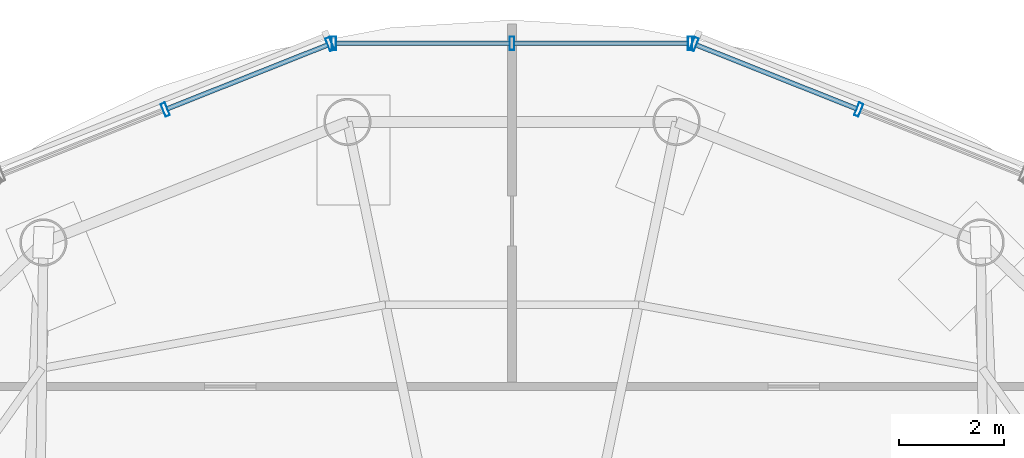
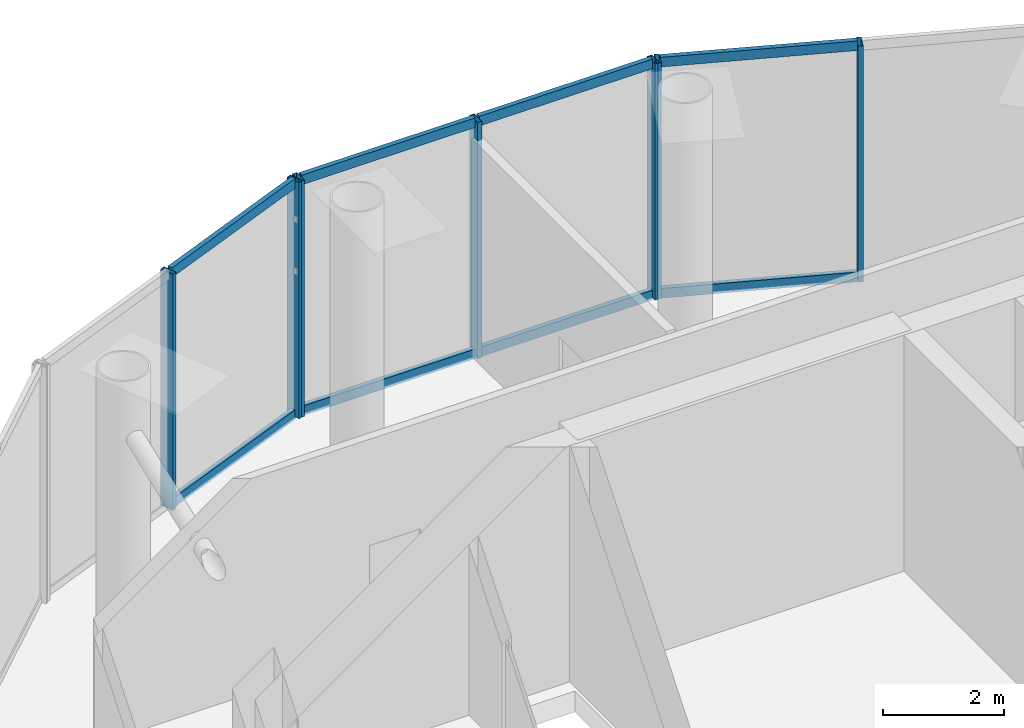
# One storey, part 10 of 15: 15 members, 3 elements without a shape of their own.
"""IFC4 building model written with IfcOpenShell, lengths in metres."""

from ifc_helpers import new_model, si_unit, direction, frame, origin, origin_2d, place, context, subcontext, project, spatial, hollow_rectangle, extrude, source, transform, mapped, material, material_profile, profile_set, type_object, element, aggregate, save


model = new_model("IFC4")

# Units and contexts
model_context = context("Model", 3, precision=1e-05, world=origin(), true_north=direction((-0.2419218956, 0.970295726276)))
body_context = subcontext(model_context, "Body", "Model", "MODEL_VIEW")
ifc_project = project(units=[si_unit("LENGTHUNIT", "METRE"), si_unit("AREAUNIT", "SQUARE_METRE"), si_unit("VOLUMEUNIT", "CUBIC_METRE"), si_unit("PLANEANGLEUNIT", "RADIAN"), si_unit("MASSUNIT", "GRAM", prefix="KILO")], contexts=[model_context])

# Site, building, storey
site_placement = place(None, origin())
site = spatial("IfcSite", under=ifc_project, at=site_placement, CompositionType="ELEMENT")
building_placement = place(site_placement, origin())
building = spatial("IfcBuilding", under=site, at=building_placement, Name="Cobrevalo Terracotta Tower", CompositionType="ELEMENT")
storey_placement = place(building_placement, frame((0.0, 0.0, 316.5)))
storey = spatial("IfcBuildingStorey", under=building, at=storey_placement, Name="L82", CompositionType="ELEMENT", Elevation=316.5)

# Curtain wall, members
ifc_material = material(Name="Anodized aluminium", Category="aluminium")
curtain_wall_type = type_object("IfcCurtainWallType", Name="Faceted glass-point crown structural glazing system CW-CR", PredefinedType="NOTDEFINED", material=ifc_material)
curtain_wall_1_placement = place(storey_placement, origin())
curtain_wall_1 = element("IfcCurtainWall", 1, at=curtain_wall_1_placement, inside=storey, type_object=curtain_wall_type, Name="L82 curtain wall CW-CRN-L82-S03", PredefinedType="NOTDEFINED")
ifc_material_profile_1 = material_profile(ifc_material, hollow_rectangle(XDim=0.090087890625, YDim=0.195068359375, WallThickness=0.005615234375, at=origin_2d()), Name="CWT 90x195")
ifc_profile_set_1 = profile_set([ifc_material_profile_1], Name="Anodized aluminium")
member_type_1 = type_object("IfcMemberType", Name="Crown structural aluminium transom 90x195", PredefinedType="USERDEFINED", material=ifc_profile_set_1)
shared_shape_1 = source(origin(), body_context, "Body", "SweptSolid", [
    extrude(hollow_rectangle(XDim=0.090087890625, YDim=0.195068359375, WallThickness=0.005615234375, at=origin_2d()), origin(), (0.0, 0.0, 1.0), 3.2998046875),
])
member_1_placement = place(storey_placement, frame((44.579833984375, 42.155517578125, 0.050048828125), z_axis=(-0.92917915641, 0.369629673177, 0.0), x_axis=(-0.369629673177, -0.92917915641, 0.0)))
member_1 = element("IfcMember", 2, at=member_1_placement, type_object=member_type_1, Name="CW-CRN-L82-S03 transom B02-T1", ObjectType="TRANSOM", PredefinedType="USERDEFINED", context=body_context, shape_type="MappedRepresentation", body=[
    mapped(shared_shape_1, transform((0.0, 0.0, 0.0), scale=1.0)),
])
member_2_placement = place(storey_placement, frame((44.579833984375, 42.155517578125, 4.72998046875), z_axis=(-0.92917915641, 0.369629673177, 0.0), x_axis=(-0.369629673177, -0.92917915641, 0.0)))
member_2 = element("IfcMember", 3, at=member_2_placement, type_object=member_type_1, Name="CW-CRN-L82-S03 transom B02-T2", ObjectType="TRANSOM", PredefinedType="USERDEFINED", context=body_context, shape_type="MappedRepresentation", body=[
    mapped(shared_shape_1, transform((0.0, 0.0, 0.0), scale=1.0)),
])

curtain_wall_2_placement = place(storey_placement, origin())
curtain_wall_2 = element("IfcCurtainWall", 4, at=curtain_wall_2_placement, inside=storey, type_object=curtain_wall_type, Name="L82 curtain wall CW-CRN-L82-S05", PredefinedType="NOTDEFINED")
member_3_placement = place(storey_placement, frame((34.486328125, 43.375244140625, 0.050048828125), z_axis=(-0.92917915641, -0.369629673177, 0.0), x_axis=(0.369629673177, -0.92917915641, 0.0)))
member_3 = element("IfcMember", 5, at=member_3_placement, type_object=member_type_1, Name="CW-CRN-L82-S05 transom B01-T1", ObjectType="TRANSOM", PredefinedType="USERDEFINED", context=body_context, shape_type="MappedRepresentation", body=[
    mapped(shared_shape_1, transform((0.0, 0.0, 0.0), scale=1.0)),
])
member_4_placement = place(storey_placement, frame((34.486328125, 43.375244140625, 4.72998046875), z_axis=(-0.92917915641, -0.369629673177, 0.0), x_axis=(0.369629673177, -0.92917915641, 0.0)))
member_4 = element("IfcMember", 6, at=member_4_placement, type_object=member_type_1, Name="CW-CRN-L82-S05 transom B01-T2", ObjectType="TRANSOM", PredefinedType="USERDEFINED", context=body_context, shape_type="MappedRepresentation", body=[
    mapped(shared_shape_1, transform((0.0, 0.0, 0.0), scale=1.0)),
])

curtain_wall_3_placement = place(storey_placement, origin())
curtain_wall_3 = element("IfcCurtainWall", 7, at=curtain_wall_3_placement, inside=storey, type_object=curtain_wall_type, Name="L82 curtain wall CW-CRN-L82-S04", PredefinedType="NOTDEFINED")
shared_shape_2 = source(origin(), body_context, "Body", "SweptSolid", [
    extrude(hollow_rectangle(XDim=0.090087890625, YDim=0.195068359375, WallThickness=0.005615234375, at=origin_2d()), origin(), (0.0, 0.0, 1.0), 3.3193359375),
])
member_5_placement = place(storey_placement, frame((41.359375, 43.40478515625, 0.050048828125), z_axis=(-1.0, 0.0, 0.0), x_axis=(0.0, -1.0, 0.0)))
member_5 = element("IfcMember", 8, at=member_5_placement, type_object=member_type_1, Name="CW-CRN-L82-S04 transom B01-T1", ObjectType="TRANSOM", PredefinedType="USERDEFINED", context=body_context, shape_type="MappedRepresentation", body=[
    mapped(shared_shape_2, transform((0.0, 0.0, 0.0), scale=1.0)),
])
member_6_placement = place(storey_placement, frame((41.359375, 43.40478515625, 4.72998046875), z_axis=(-1.0, 0.0, 0.0), x_axis=(0.0, -1.0, 0.0)))
member_6 = element("IfcMember", 9, at=member_6_placement, type_object=member_type_1, Name="CW-CRN-L82-S04 transom B01-T2", ObjectType="TRANSOM", PredefinedType="USERDEFINED", context=body_context, shape_type="MappedRepresentation", body=[
    mapped(shared_shape_2, transform((0.0, 0.0, 0.0), scale=1.0)),
])
member_7_placement = place(storey_placement, frame((37.9599609375, 43.40478515625, 0.050048828125), z_axis=(-1.0, 0.0, 0.0), x_axis=(0.0, -1.0, 0.0)))
member_7 = element("IfcMember", 10, at=member_7_placement, type_object=member_type_1, Name="CW-CRN-L82-S04 transom B02-T1", ObjectType="TRANSOM", PredefinedType="USERDEFINED", context=body_context, shape_type="MappedRepresentation", body=[
    mapped(shared_shape_2, transform((0.0, 0.0, 0.0), scale=1.0)),
])
member_8_placement = place(storey_placement, frame((37.9599609375, 43.40478515625, 4.72998046875), z_axis=(-1.0, 0.0, 0.0), x_axis=(0.0, -1.0, 0.0)))
member_8 = element("IfcMember", 11, at=member_8_placement, type_object=member_type_1, Name="CW-CRN-L82-S04 transom B02-T2", ObjectType="TRANSOM", PredefinedType="USERDEFINED", context=body_context, shape_type="MappedRepresentation", body=[
    mapped(shared_shape_2, transform((0.0, 0.0, 0.0), scale=1.0)),
])

# Member
ifc_material_profile_2 = material_profile(ifc_material, hollow_rectangle(XDim=0.090087890625, YDim=0.260009765625, WallThickness=0.006103515625, at=origin_2d()), Name="CWM 90x260")
ifc_profile_set_2 = profile_set([ifc_material_profile_2], Name="Anodized aluminium")
member_type_2 = type_object("IfcMemberType", Name="Crown structural glass mullion 90x260", PredefinedType="MULLION", material=ifc_profile_set_2)
shared_shape_3 = source(origin(), body_context, "Body", "SweptSolid", [
    extrude(hollow_rectangle(XDim=0.090087890625, YDim=0.260009765625, WallThickness=0.006103515625, at=origin_2d()), origin(), (0.0, 0.0, 1.0), 4.780029296875),
])
member_9_placement = place(storey_placement, frame((44.6171875, 42.140625, 0.0), z_axis=(0.0, 0.0, 1.0), x_axis=(-0.929190639756, 0.36960080491, 0.0)))
member_9 = element("IfcMember", 12, at=member_9_placement, type_object=member_type_2, Name="CW-CRN-L82-S03 vertical mullion 02", PredefinedType="MULLION", context=body_context, shape_type="MappedRepresentation", body=[
    mapped(shared_shape_3, transform((0.0, 0.0, 0.0), scale=1.0)),
])

member_10_placement = place(storey_placement, frame((41.4765625, 43.389892578125, 0.0), z_axis=(0.0, 0.0, 1.0), x_axis=(-0.929190639756, 0.36960080491, 0.0)))
member_10 = element("IfcMember", 13, at=member_10_placement, type_object=member_type_2, Name="CW-CRN-L82-S03 vertical mullion 03", PredefinedType="MULLION", context=body_context, shape_type="MappedRepresentation", body=[
    mapped(shared_shape_3, transform((0.0, 0.0, 0.0), scale=1.0)),
])

aggregate(curtain_wall_1, [member_9, member_10, member_1, member_2])

member_11_placement = place(storey_placement, frame((41.3994140625, 43.40478515625, 0.0), z_axis=(0.0, 0.0, 1.0), x_axis=(-1.0, 0.0, 0.0)))
member_11 = element("IfcMember", 14, at=member_11_placement, type_object=member_type_2, Name="CW-CRN-L82-S04 vertical mullion 01", PredefinedType="MULLION", context=body_context, shape_type="MappedRepresentation", body=[
    mapped(shared_shape_3, transform((0.0, 0.0, 0.0), scale=1.0)),
])

member_12_placement = place(storey_placement, frame((38.0, 43.40478515625, 0.0), z_axis=(0.0, 0.0, 1.0), x_axis=(-1.0, 0.0, 0.0)))
member_12 = element("IfcMember", 15, at=member_12_placement, type_object=member_type_2, Name="CW-CRN-L82-S04 vertical mullion 02", PredefinedType="MULLION", context=body_context, shape_type="MappedRepresentation", body=[
    mapped(shared_shape_3, transform((0.0, 0.0, 0.0), scale=1.0)),
])

member_13_placement = place(storey_placement, frame((34.6005859375, 43.40478515625, 0.0), z_axis=(0.0, 0.0, 1.0), x_axis=(-1.0, 0.0, 0.0)))
member_13 = element("IfcMember", 16, at=member_13_placement, type_object=member_type_2, Name="CW-CRN-L82-S04 vertical mullion 03", PredefinedType="MULLION", context=body_context, shape_type="MappedRepresentation", body=[
    mapped(shared_shape_3, transform((0.0, 0.0, 0.0), scale=1.0)),
])

aggregate(curtain_wall_3, [member_11, member_12, member_13, member_5, member_6, member_7, member_8])

member_14_placement = place(storey_placement, frame((34.5234375, 43.389892578125, 0.0), z_axis=(0.0, 0.0, 1.0), x_axis=(-0.929190639756, -0.36960080491, 0.0)))
member_14 = element("IfcMember", 17, at=member_14_placement, type_object=member_type_2, Name="CW-CRN-L82-S05 vertical mullion 01", PredefinedType="MULLION", context=body_context, shape_type="MappedRepresentation", body=[
    mapped(shared_shape_3, transform((0.0, 0.0, 0.0), scale=1.0)),
])

member_15_placement = place(storey_placement, frame((31.3828125, 42.140625, 0.0), z_axis=(0.0, 0.0, 1.0), x_axis=(-0.929190639756, -0.36960080491, 0.0)))
member_15 = element("IfcMember", 18, at=member_15_placement, type_object=member_type_2, Name="CW-CRN-L82-S05 vertical mullion 02", PredefinedType="MULLION", context=body_context, shape_type="MappedRepresentation", body=[
    mapped(shared_shape_3, transform((0.0, 0.0, 0.0), scale=1.0)),
])

aggregate(curtain_wall_2, [member_14, member_15, member_3, member_4])

save(model, "model.ifc")
